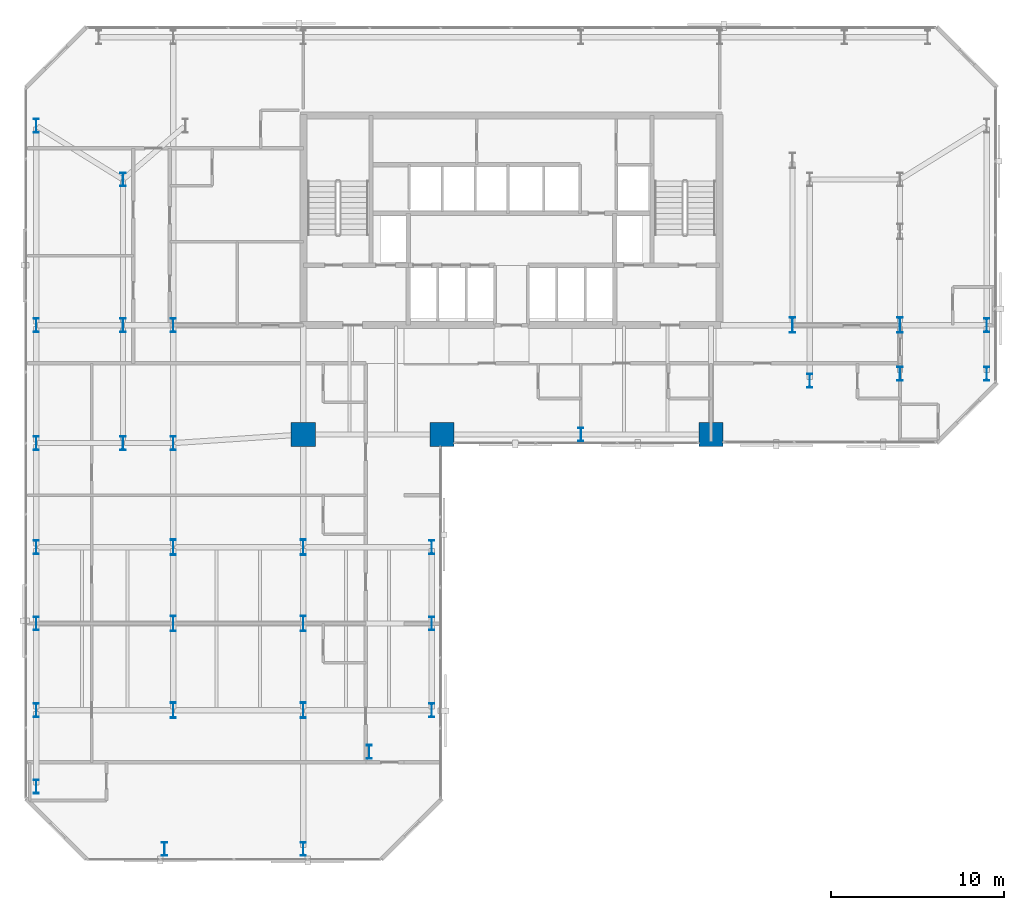
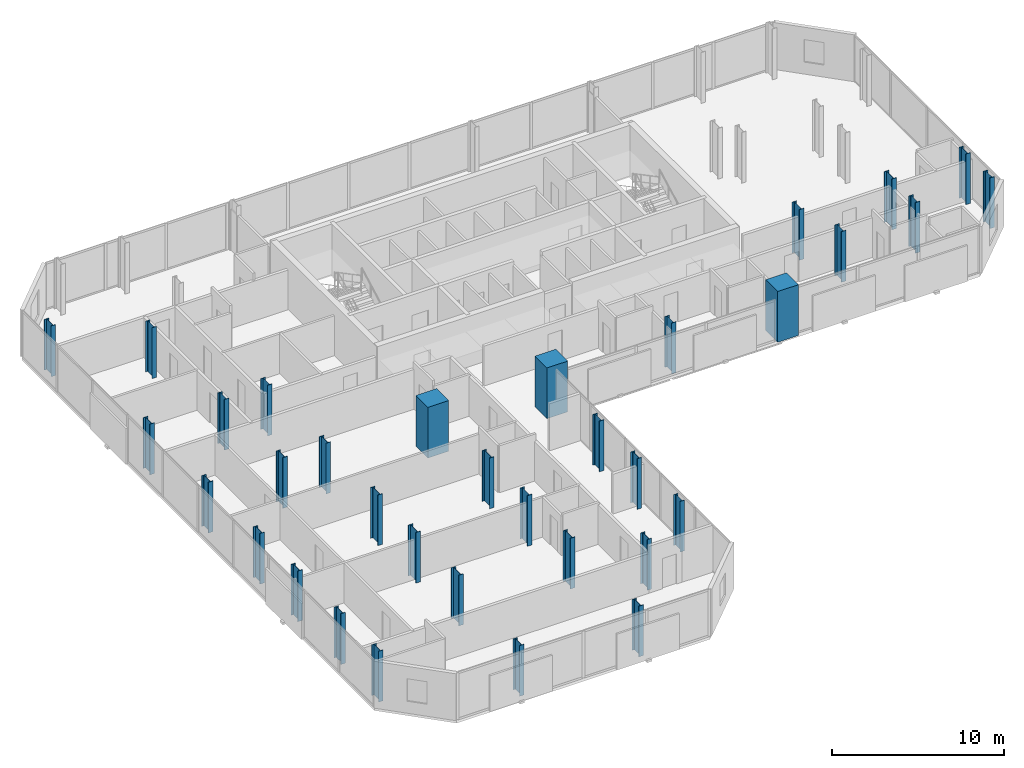
# One storey, part 1 of 33: 34 columns.
"""IFC4 building model written with IfcOpenShell, lengths in metres."""

from ifc_helpers import new_model, si_unit, direction, frame, origin, origin_2d, place, context, subcontext, project, spatial, rectangle, i_section, extrude, material, material_profile, profile_set, type_object, element, save


model = new_model("IFC4")

# Units and contexts
model_context = context("Model", 3, precision=1e-05, world=origin(), true_north=direction((0.0, 1.0)))
body_context = subcontext(model_context, "Body", "Model", "MODEL_VIEW")
ifc_project = project(units=[si_unit("LENGTHUNIT", "METRE"), si_unit("AREAUNIT", "SQUARE_METRE"), si_unit("VOLUMEUNIT", "CUBIC_METRE"), si_unit("PLANEANGLEUNIT", "RADIAN"), si_unit("MASSUNIT", "GRAM", prefix="KILO")], contexts=[model_context])

# Site, building, storey
site_placement = place(None, origin())
site = spatial("IfcSite", under=ifc_project, at=site_placement, CompositionType="ELEMENT")
building_placement = place(site_placement, origin())
building = spatial("IfcBuilding", under=site, at=building_placement, Name="Catumbela Crestline Tower", CompositionType="ELEMENT")
storey_placement = place(building_placement, frame((0.0, 0.0, 54.6)))
storey = spatial("IfcBuildingStorey", under=building, at=storey_placement, Name="L13", CompositionType="ELEMENT", Elevation=54.6)

# Columns
ifc_material_1 = material(Name="Concrete C60/75", Category="concrete")
ifc_material_profile_1 = material_profile(ifc_material_1, rectangle(XDim=1.4, YDim=1.4, at=origin_2d()), Name="RC 1400x1400")
ifc_profile_set_1 = profile_set([ifc_material_profile_1], Name="Concrete C60/75")
column_type_1 = type_object("IfcColumnType", Name="C-RC1400-C60", PredefinedType="COLUMN", material=ifc_profile_set_1)
for number, where, z_axis, x_axis, name in (
    (1, (16.0, 24.5, 0.0), (0.0, 0.0, 1.0), (1.0, 0.0, 0.0), "L13 Column C-16-24 (RC 1400x1400)"),
    (2, (24.0, 24.5, 0.0), (0.0, 0.0, 1.0), (1.0, 0.0, 0.0), "L13 Column C-24-24 (RC 1400x1400)"),
    (3, (39.5, 24.5, 0.0), (0.0, 0.0, 1.0), (1.0, 0.0, 0.0), "L13 Column C-40-24 (RC 1400x1400)"),
):
    element("IfcColumn", number, at=place(storey_placement, frame(where, z_axis=z_axis, x_axis=x_axis)), inside=storey, type_object=column_type_1, Name=name, PredefinedType="COLUMN", context=body_context, shape_type="SweptSolid", body=[
        extrude(rectangle(XDim=1.4, YDim=1.4, at=origin_2d()), origin(), (0.0, 0.0, 1.0), 3.6),
    ])
ifc_material_2 = material(Name="Structural steel S460M", Category="steel")
ifc_material_profile_2 = material_profile(ifc_material_2, i_section(OverallWidth=0.3, OverallDepth=0.8, WebThickness=0.0175, FlangeThickness=0.033, FilletRadius=0.03, at=origin_2d()), Name="HEB 800")
ifc_profile_set_2 = profile_set([ifc_material_profile_2], Name="Structural steel S460M")
column_type_2 = type_object("IfcColumnType", Name="C-ST-HEB800", PredefinedType="COLUMN", material=ifc_profile_set_2)
for number, where, z_axis, x_axis, name in (
    (4, (8.5, 24.0, 0.0), (0.0, 0.0, 1.0), (1.0, 0.0, 0.0), "L13 Column C-08-24 (HEB 800)"),
    (5, (32.0, 24.5, 0.0), (0.0, 0.0, 1.0), (1.0, 0.0, 0.0), "L13 Column C-32-24 (HEB 800)"),
    (6, (5.6, 24.0, 0.0), (0.0, 0.0, 1.0), (1.0, 0.0, 0.0), "L13 Column C-05-24 (HEB 800)"),
    (7, (5.6, 30.8, 0.0), (0.0, 0.0, 1.0), (1.0, 0.0, 0.0), "L13 Column C-05-31 (HEB 800)"),
    (8, (5.6, 39.2, 0.0), (0.0, 0.0, 1.0), (1.0, 0.0, 0.0), "L13 Column C-05-43 (HEB 800)"),
    (9, (8.5, 30.8, 0.0), (0.0, 0.0, 1.0), (1.0, 0.0, 0.0), "L13 Column C-08-31 (HEB 800)"),
    (10, (45.2, 27.6, 0.0), (0.0, 0.0, 1.0), (1.0, 0.0, 0.0), "L13 Column C-46-24 (HEB 800)"),
    (11, (0.6, 24.0, 0.0), (0.0, 0.0, 1.0), (1.0, 0.0, 0.0), "L13 Column C-00-24 (HEB 800)"),
    (12, (0.6, 30.8, 0.0), (0.0, 0.0, 1.0), (1.0, 0.0, 0.0), "L13 Column C-00-31 (HEB 800)"),
    (13, (0.6, 42.3, 0.0), (0.0, 0.0, 1.0), (1.0, 0.0, 0.0), "L13 Column C-00-43 (HEB 800)"),
    (14, (50.4, 28.0, 0.0), (0.0, 0.0, 1.0), (1.0, 0.0, 0.0), "L13 Column C-51-24 (HEB 800)"),
    (15, (55.4, 28.0, 0.0), (0.0, 0.0, 1.0), (1.0, 0.0, 0.0), "L13 Column C-56-24 (HEB 800)"),
    (16, (55.4, 30.8, 0.0), (0.0, 0.0, 1.0), (1.0, 0.0, 0.0), "L13 Column C-56-31 (HEB 800)"),
    (17, (0.6, 8.6, 0.0), (0.0, 0.0, 1.0), (1.0, 0.0, 0.0), "L13 Column C-00-05 (HEB 800)"),
    (18, (0.6, 13.6, 0.0), (0.0, 0.0, 1.0), (1.0, 0.0, 0.0), "L13 Column C-00-10 (HEB 800)"),
    (19, (0.6, 18.0, 0.0), (0.0, 0.0, 1.0), (1.0, 0.0, 0.0), "L13 Column C-00-16 (HEB 800)"),
    (20, (0.6, 4.2, 0.0), (0.0, 0.0, 1.0), (1.0, 0.0, 0.0), "L13 Column C-00-03 (HEB 800)"),
    (21, (8.0, 0.6, 0.0), (0.0, 0.0, 1.0), (1.0, 0.0, 0.0), "L13 Column C-08-00 (HEB 800)"),
    (22, (16.0, 0.6, 0.0), (0.0, 0.0, 1.0), (1.0, 0.0, 0.0), "L13 Column C-16-00 (HEB 800)"),
    (23, (19.8, 6.2, 0.0), (0.0, 0.0, 1.0), (1.0, 0.0, 0.0), "L13 Column C-24-05 (HEB 800)"),
    (24, (23.4, 8.6, 0.0), (0.0, 0.0, 1.0), (1.0, 0.0, 0.0), "L13 Column C-23-08 (HEB 800)"),
    (25, (23.4, 13.6, 0.0), (0.0, 0.0, 1.0), (1.0, 0.0, 0.0), "L13 Column C-24-10 (HEB 800)"),
    (26, (23.4, 18.0, 0.0), (0.0, 0.0, 1.0), (1.0, 0.0, 0.0), "L13 Column C-24-16 (HEB 800)"),
):
    element("IfcColumn", number, at=place(storey_placement, frame(where, z_axis=z_axis, x_axis=x_axis)), inside=storey, type_object=column_type_2, Name=name, PredefinedType="COLUMN", context=body_context, shape_type="SweptSolid", body=[
        extrude(i_section(OverallWidth=0.3, OverallDepth=0.8, WebThickness=0.0175, FlangeThickness=0.033, FilletRadius=0.03, at=origin_2d()), origin(), (0.0, 0.0, 1.0), 3.6),
    ])
ifc_material_profile_3 = material_profile(ifc_material_2, i_section(OverallWidth=0.3, OverallDepth=0.9, WebThickness=0.0185, FlangeThickness=0.035, FilletRadius=0.03, at=origin_2d()), Name="HEB 900")
ifc_profile_set_3 = profile_set([ifc_material_profile_3], Name="Structural steel S460M")
column_type_3 = type_object("IfcColumnType", Name="C-ST-HEB900", PredefinedType="COLUMN", material=ifc_profile_set_3)
for number, where, z_axis, x_axis, name in (
    (27, (8.5, 8.6, 0.0), (0.0, 0.0, 1.0), (1.0, 0.0, 0.0), "L13 Column CT-05-05 (HEB 900)"),
    (28, (16.0, 8.6, 0.0), (0.0, 0.0, 1.0), (1.0, 0.0, 0.0), "L13 Column CT-14-05 (HEB 900)"),
    (29, (8.5, 13.6, 0.0), (0.0, 0.0, 1.0), (1.0, 0.0, 0.0), "L13 Column CT-05-10 (HEB 900)"),
    (30, (16.0, 13.6, 0.0), (0.0, 0.0, 1.0), (1.0, 0.0, 0.0), "L13 Column CT-14-10 (HEB 900)"),
    (31, (8.5, 18.0, 0.0), (0.0, 0.0, 1.0), (1.0, 0.0, 0.0), "L13 Column CT-05-16 (HEB 900)"),
    (32, (16.0, 18.0, 0.0), (0.0, 0.0, 1.0), (1.0, 0.0, 0.0), "L13 Column CT-14-16 (HEB 900)"),
    (33, (44.2, 30.8, 0.0), (0.0, 0.0, 1.0), (1.0, 0.0, 0.0), "L13 Column CT-46-31 (HEB 900)"),
    (34, (50.4, 30.8, 0.0), (0.0, 0.0, 1.0), (1.0, 0.0, 0.0), "L13 Column CT-51-31 (HEB 900)"),
):
    element("IfcColumn", number, at=place(storey_placement, frame(where, z_axis=z_axis, x_axis=x_axis)), inside=storey, type_object=column_type_3, Name=name, PredefinedType="COLUMN", context=body_context, shape_type="SweptSolid", body=[
        extrude(i_section(OverallWidth=0.3, OverallDepth=0.9, WebThickness=0.0185, FlangeThickness=0.035, FilletRadius=0.03, at=origin_2d()), origin(), (0.0, 0.0, 1.0), 3.6),
    ])

save(model, "model.ifc")
